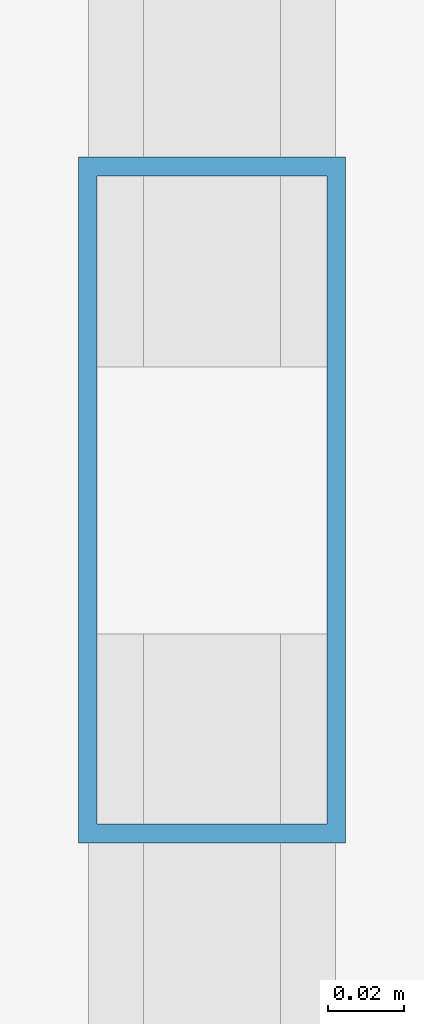
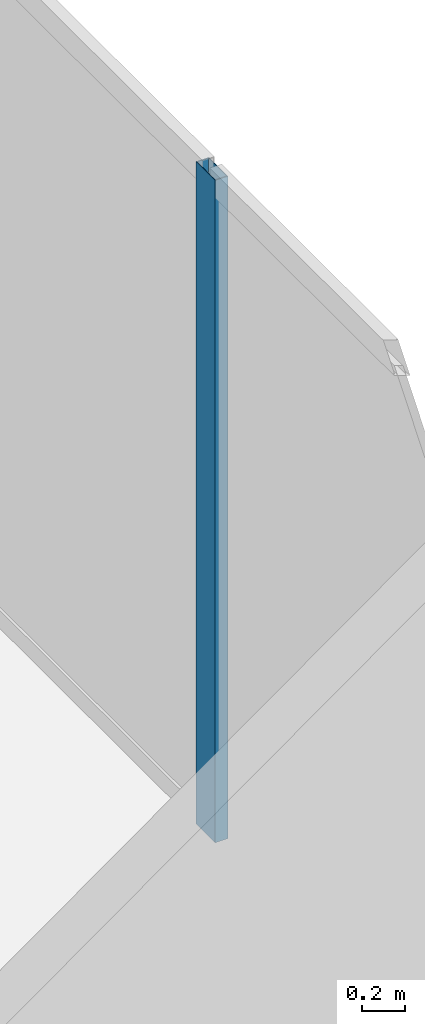
# One storey, part 24 of 33: 1 member, 1 element without a shape of its own.
"""IFC4 building model written with IfcOpenShell, lengths in metres."""

import ifcopenshell
import ifcopenshell.guid

model = None  # the IFC model being written
_history = None  # IfcOwnerHistory: only IFC2X3 demands one
_inside = {}  # id of a spatial element -> (the spatial element, [elements in it])
_under = {}  # id of a project, library or spatial element -> (it, [spatial elements below it])
_declared = {}  # id of a project -> (the project, [libraries it declares])
_typed = {}  # id of a type object -> (the type object, [elements of that type])
_made_of = {}  # id of a material, layer set ... -> (it, [elements and type objects made of it])


def new_model(schema):
    """Start an empty IFC model of exactly this schema.

    Asked for "IFC4X3", IfcOpenShell would pick the latest addendum, in which some entities
    have other attributes; the version numbers below select the first issue.
    IFC2X3 requires an IfcOwnerHistory on every rooted entity: one is made here for all.
    """
    global model, _history
    if schema == "IFC4X3":
        model = ifcopenshell.file(schema_version=(4, 3, 0, 0))
    else:
        model = ifcopenshell.file(schema=schema)
    _inside.clear()
    _under.clear()
    _declared.clear()
    _typed.clear()
    _made_of.clear()
    _history = None
    if model.schema == "IFC2X3":
        org = make("IfcOrganization", Name="unknown")
        user = make(
            "IfcPersonAndOrganization",
            ThePerson=make("IfcPerson", FamilyName="unknown"),
            TheOrganization=org,
        )
        app = make(
            "IfcApplication",
            ApplicationDeveloper=org,
            Version="unknown",
            ApplicationFullName="unknown",
            ApplicationIdentifier="unknown",
        )
        _history = make(
            "IfcOwnerHistory",
            OwningUser=user,
            OwningApplication=app,
            ChangeAction="ADDED",
            CreationDate=0,
        )
    return model


def make(cls, **values):
    """One entity of the class cls with the attributes given. An attribute that is None is left unset."""
    return model.create_entity(
        cls, **{name: value for name, value in values.items() if value is not None}
    )


def rooted(cls, **values):
    """An entity with a GlobalId (a new one), such as an element, a storey or a relation."""
    return make(cls, GlobalId=ifcopenshell.guid.new(), OwnerHistory=_history, **values)


def si_unit(unit_type, name, prefix=None):
    """IfcSIUnit, for example si_unit("LENGTHUNIT", "METRE", prefix="MILLI")."""
    return make("IfcSIUnit", UnitType=unit_type, Prefix=prefix, Name=name)


def assignment(units):
    """IfcUnitAssignment: the units of a project."""
    return None if units is None else make("IfcUnitAssignment", Units=units)


def point(xyz):
    """IfcCartesianPoint."""
    return None if xyz is None else make("IfcCartesianPoint", Coordinates=xyz)


def direction(xyz):
    """IfcDirection."""
    return None if xyz is None else make("IfcDirection", DirectionRatios=xyz)


def frame(location, z_axis=None, x_axis=None):
    """IfcAxis2Placement3D, a coordinate frame: its origin and axes. An axis left out is left unset."""
    return make(
        "IfcAxis2Placement3D",
        Location=point(location),
        Axis=direction(z_axis),
        RefDirection=direction(x_axis),
    )


def frame_2d(location, x_axis=None):
    """IfcAxis2Placement2D, a coordinate frame in the plane: its origin and x axis."""
    return make(
        "IfcAxis2Placement2D", Location=point(location), RefDirection=direction(x_axis)
    )


def origin():
    """The frame at (0, 0, 0) with its axes left unset."""
    return frame((0.0, 0.0, 0.0))


def origin_2d():
    """The frame at (0, 0) in the plane with its x axis left unset."""
    return frame_2d((0.0, 0.0))


def place(relative_to, where):
    """IfcLocalPlacement: puts the frame where relative to a parent placement (None: the world)."""
    return make(
        "IfcLocalPlacement", PlacementRelTo=relative_to, RelativePlacement=where
    )


def context(
    kind, dimensions, precision=None, world=None, true_north=None, identifier=None
):
    """IfcGeometricRepresentationContext, for example the 3D "Model" context."""
    return make(
        "IfcGeometricRepresentationContext",
        ContextIdentifier=identifier,
        ContextType=kind,
        CoordinateSpaceDimension=dimensions,
        Precision=precision,
        WorldCoordinateSystem=world,
        TrueNorth=true_north,
    )


def subcontext(parent, identifier, kind, view, scale=None):
    """IfcGeometricRepresentationSubContext, for example "Body" below "Model"."""
    return make(
        "IfcGeometricRepresentationSubContext",
        ContextIdentifier=identifier,
        ContextType=kind,
        ParentContext=parent,
        TargetScale=scale,
        TargetView=view,
    )


def project(units=None, contexts=None):
    """IfcProject with its units and contexts."""
    return rooted(
        "IfcProject",
        Name="project",
        RepresentationContexts=contexts,
        UnitsInContext=assignment(units),
    )


def spatial(cls, under=None, at=None, **own):
    """A site, building, storey or space (cls), placed at a placement, below another one or the project."""
    s = rooted(cls, ObjectPlacement=at, **own)
    if under is not None:
        _under.setdefault(under.id(), (under, []))[1].append(s)
    return s


def profile(cls, at=None, kind="AREA", **sizes):
    """A parametric profile (cls). Its sizes go by their IFC names, for example OverallWidth=200.0."""
    return make(cls, ProfileType=kind, Position=at, **sizes)


def hollow_rectangle(**sizes):
    """IfcRectangleHollowProfileDef."""
    return profile("IfcRectangleHollowProfileDef", **sizes)


def extrude(swept, where, along, depth):
    """IfcExtrudedAreaSolid: the profile swept, set in the frame where, extruded along a direction by depth."""
    return make(
        "IfcExtrudedAreaSolid",
        SweptArea=swept,
        Position=where,
        ExtrudedDirection=direction(along),
        Depth=depth,
    )


def shape(context_of_items, identifier, shape_type, items):
    """IfcShapeRepresentation: the items that make up one representation, for example the "Body"."""
    return make(
        "IfcShapeRepresentation",
        ContextOfItems=context_of_items,
        RepresentationIdentifier=identifier,
        RepresentationType=shape_type,
        Items=items,
    )


def source(mapping_origin, context_of_items, identifier, shape_type, items):
    """IfcRepresentationMap: a shape defined once, which mapped items show again and again."""
    return make(
        "IfcRepresentationMap",
        MappingOrigin=mapping_origin,
        MappedRepresentation=shape(context_of_items, identifier, shape_type, items),
    )


def transform(
    local_origin,
    x_axis=None,
    y_axis=None,
    z_axis=None,
    scale=None,
    scale2=None,
    scale3=None,
    uniform=True,
):
    """IfcCartesianTransformationOperator3D, or its non-uniform kind. x_axis, y_axis, z_axis: its Axis1, 2, 3."""
    if uniform:
        return make(
            "IfcCartesianTransformationOperator3D",
            Axis1=direction(x_axis),
            Axis2=direction(y_axis),
            LocalOrigin=point(local_origin),
            Scale=scale,
            Axis3=direction(z_axis),
        )
    return make(
        "IfcCartesianTransformationOperator3DnonUniform",
        Axis1=direction(x_axis),
        Axis2=direction(y_axis),
        LocalOrigin=point(local_origin),
        Scale=scale,
        Axis3=direction(z_axis),
        Scale2=scale2,
        Scale3=scale3,
    )


def mapped(mapping_source, mapping_target):
    """IfcMappedItem: shows the shape of a source again, moved by a transform."""
    return make(
        "IfcMappedItem", MappingSource=mapping_source, MappingTarget=mapping_target
    )


def material(Name=None, Category=None):
    """IfcMaterial."""
    return make("IfcMaterial", Name=Name, Category=Category)


def layer(
    of_material, thickness, ventilated=None, Name=None, Category=None, Priority=None
):
    """IfcMaterialLayer: one layer of a wall or slab, of a material (None: an air gap)."""
    return make(
        "IfcMaterialLayer",
        Material=of_material,
        LayerThickness=thickness,
        IsVentilated=ventilated,
        Name=Name,
        Category=Category,
        Priority=Priority,
    )


def layer_set(layers, Name=None):
    """IfcMaterialLayerSet."""
    return make("IfcMaterialLayerSet", MaterialLayers=layers, LayerSetName=Name)


def material_profile(
    of_material, cross_section, Name=None, Category=None, Priority=None
):
    """IfcMaterialProfile: a cross section and its material."""
    return make(
        "IfcMaterialProfile",
        Name=Name,
        Material=of_material,
        Profile=cross_section,
        Priority=Priority,
        Category=Category,
    )


def profile_set(profiles, Name=None, composite=None):
    """IfcMaterialProfileSet."""
    return make(
        "IfcMaterialProfileSet",
        Name=Name,
        MaterialProfiles=profiles,
        CompositeProfile=composite,
    )


def made_of(thing, what):
    """Note that an element or type object is made of a material, layer set ...; save() writes the relation."""
    if what is not None:
        _made_of.setdefault(what.id(), (what, []))[1].append(thing)
    return thing


def type_object(cls, material=None, **own):
    """A type object (cls), such as IfcWallType, which elements share."""
    return made_of(rooted(cls, **own), material)


def type_shapes(of_type, sources):
    """Give a type object the sources (RepresentationMaps) that its elements show as mapped items."""
    of_type.RepresentationMaps = sources


def element(
    cls,
    number,
    at=None,
    inside=None,
    cuts=None,
    type_object=None,
    material=None,
    context=None,
    identifier="Body",
    shape_type=None,
    held_by="IfcProductDefinitionShape",
    body=None,
    shapes=None,
    **own,
):
    """One element of the class cls, such as IfcWall. Its Tag is "e" and its number.

    at: its placement. inside: the storey or other place that contains it. cuts: it is an
    opening in that element (IfcRelVoidsElement). A single representation is given by context,
    identifier, shape_type and body (its items); several are given by shapes. held_by: the class
    of the entity that holds the representations. save() writes the other relations.
    """
    e = rooted(cls, Tag="e%d" % number, ObjectPlacement=at, **own)
    if body is not None:
        shapes = [shape(context, identifier, shape_type, body)]
    if shapes is not None:
        e.Representation = make(held_by, Representations=shapes)
    if inside is not None:
        _inside.setdefault(inside.id(), (inside, []))[1].append(e)
    if cuts is not None:
        rooted(
            "IfcRelVoidsElement", RelatingBuildingElement=cuts, RelatedOpeningElement=e
        )
    if type_object is not None:
        _typed.setdefault(type_object.id(), (type_object, []))[1].append(e)
    return made_of(e, material)


def aggregate(whole, parts):
    """IfcRelAggregates: a whole, such as a stair, and the parts it consists of."""
    return rooted("IfcRelAggregates", RelatingObject=whole, RelatedObjects=parts)


def save(model, path):
    """Write the relations noted so far, then the file.

    IfcRelAggregates (storeys below a building ...), IfcRelContainedInSpatialStructure (elements
    in a storey), IfcRelDefinesByType, IfcRelAssociatesMaterial and IfcRelDeclares: one each for
    every whole, place, type object, material and project.
    """
    for whole, parts in _under.values():
        aggregate(whole, parts)
    for where, things in _inside.values():
        rooted(
            "IfcRelContainedInSpatialStructure",
            RelatedElements=things,
            RelatingStructure=where,
        )
    for kind, things in _typed.values():
        rooted("IfcRelDefinesByType", RelatedObjects=things, RelatingType=kind)
    for what, things in _made_of.values():
        rooted("IfcRelAssociatesMaterial", RelatedObjects=things, RelatingMaterial=what)
    for by, libraries in _declared.values():
        rooted("IfcRelDeclares", RelatingContext=by, RelatedDefinitions=libraries)
    model.write(path)


model = new_model("IFC4")

# Units and contexts
model_context = context("Model", 3, precision=1e-05, world=origin(), true_north=direction((0.0, 1.0)))
body_context = subcontext(model_context, "Body", "Model", "MODEL_VIEW")
ifc_project = project(units=[si_unit("LENGTHUNIT", "METRE"), si_unit("AREAUNIT", "SQUARE_METRE"), si_unit("VOLUMEUNIT", "CUBIC_METRE"), si_unit("PLANEANGLEUNIT", "RADIAN"), si_unit("MASSUNIT", "GRAM", prefix="KILO")], contexts=[model_context])

# Site, building, storey
site_placement = place(None, origin())
site = spatial("IfcSite", under=ifc_project, at=site_placement, CompositionType="ELEMENT")
building_placement = place(site_placement, origin())
building = spatial("IfcBuilding", under=site, at=building_placement, Name="Haelvirn Gate Laboratories", CompositionType="ELEMENT")
storey_placement = place(building_placement, frame((0.0, 0.0, 217.800048828125)))
storey = spatial("IfcBuildingStorey", under=building, at=storey_placement, Name="L52", CompositionType="ELEMENT", Elevation=217.800048828125)

# Curtain wall, member
ifc_material_1 = material(Name="Anodised bronze unitised aluminium & triple low-E glass", Category="aluminium")
ifc_layer = layer(ifc_material_1, 0.176025390625, Name="CW-SYS-4")
ifc_layer_set = layer_set([ifc_layer], Name="Anodised bronze unitised aluminium & triple low-E glass")
curtain_wall_type = type_object("IfcCurtainWallType", Name="CW-SYS-4", PredefinedType="NOTDEFINED", material=ifc_layer_set)
curtain_wall_placement = place(storey_placement, origin())
curtain_wall = element("IfcCurtainWall", 1, at=curtain_wall_placement, inside=storey, type_object=curtain_wall_type, Name="L52 Unitised Curtain Wall CW-L52-P0-E07", PredefinedType="NOTDEFINED")
ifc_material_2 = material(Name="Extruded aluminium 6063-T6 (anodised bronze)", Category="aluminium")
ifc_material_profile = material_profile(ifc_material_2, hollow_rectangle(XDim=0.070068359375, YDim=0.179931640625, WallThickness=0.0048828125, at=origin_2d()), Name="CWM-180x70x5")
ifc_profile_set = profile_set([ifc_material_profile], Name="Extruded aluminium 6063-T6 (anodised bronze)")
member_type = type_object("IfcMemberType", Name="CWM-T180", PredefinedType="MULLION", material=ifc_profile_set)
shared_shape = source(origin(), body_context, "Body", "SweptSolid", [
    extrude(hollow_rectangle(XDim=0.070068359375, YDim=0.179931640625, WallThickness=0.0048828125, at=origin_2d()), origin(), (0.0, 0.0, 1.0), 3.800048828125),
])
type_shapes(member_type, [shared_shape])
member_placement = place(storey_placement, frame((70.699951171875, 24.300048828125, 0.0), z_axis=(0.0, 0.0, 1.0), x_axis=(-1.0, 0.0, 0.0)))
member = element("IfcMember", 2, at=member_placement, type_object=member_type, Name="CW4 mullion 2", PredefinedType="MULLION", context=body_context, shape_type="MappedRepresentation", body=[
    mapped(shared_shape, transform((0.0, 0.0, 0.0), scale=1.0)),
])
aggregate(curtain_wall, [member])

save(model, "model.ifc")
